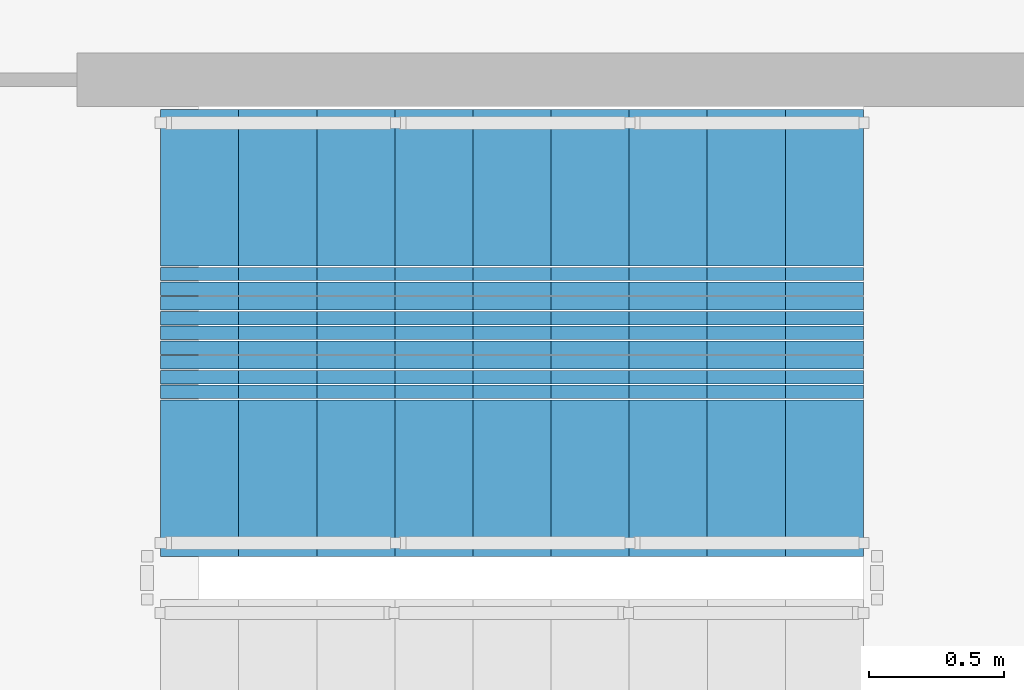
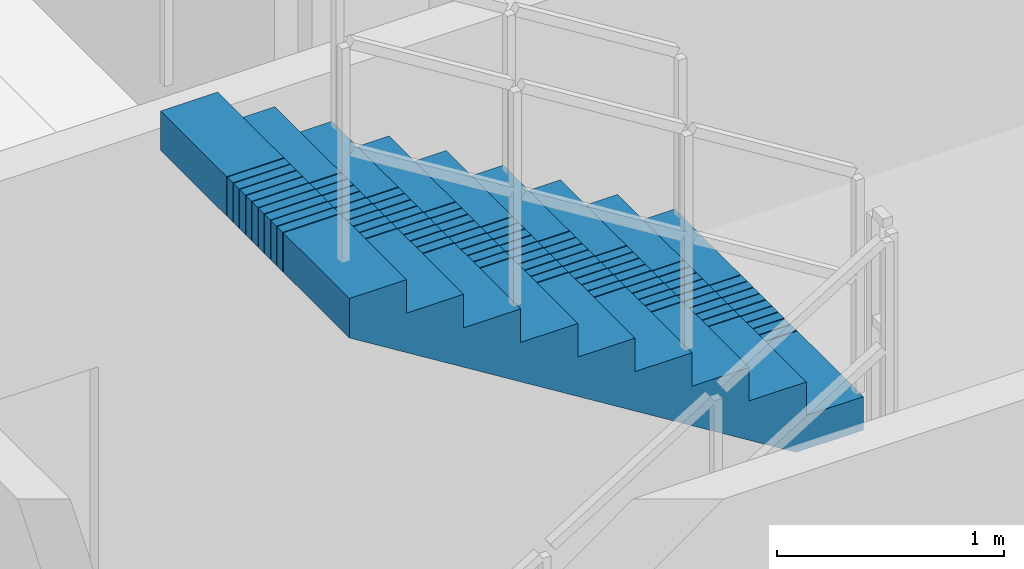
# One storey, part 24 of 30: 1 stair flight, 1 element without a shape of its own.
"""IFC4 building model written with IfcOpenShell, lengths in metres."""

from ifc_helpers import new_model, si_unit, direction, frame, origin, place, context, subcontext, project, spatial, polyline, outline, extrude, material, type_object, element, aggregate, save


model = new_model("IFC4")

# Units and contexts
model_context = context("Model", 3, precision=1e-05, world=origin(), true_north=direction((0.0, 1.0)))
body_context = subcontext(model_context, "Body", "Model", "MODEL_VIEW")
ifc_project = project(units=[si_unit("LENGTHUNIT", "METRE"), si_unit("AREAUNIT", "SQUARE_METRE"), si_unit("VOLUMEUNIT", "CUBIC_METRE"), si_unit("PLANEANGLEUNIT", "RADIAN"), si_unit("MASSUNIT", "GRAM", prefix="KILO")], contexts=[model_context])

# Site, building, storey
site_placement = place(None, origin())
site = spatial("IfcSite", under=ifc_project, at=site_placement, CompositionType="ELEMENT")
building_placement = place(site_placement, origin())
building = spatial("IfcBuilding", under=site, at=building_placement, Name="Saelheon Loggia Tower", CompositionType="ELEMENT")
storey_placement = place(building_placement, frame((0.0, 0.0, 7.800048828125)))
storey = spatial("IfcBuildingStorey", under=building, at=storey_placement, Name="L02", CompositionType="ELEMENT", Elevation=7.800048828125)

# Stair, stair flight
ifc_material = material(Name="Concrete C40/50", Category="concrete")
stair_type = type_object("IfcStairType", Name="Stair_Escape_Podium", PredefinedType="HALF_TURN_STAIR", material=ifc_material)
stair_placement = place(storey_placement, origin())
stair = element("IfcStair", 1, at=stair_placement, inside=storey, type_object=stair_type, Name="L02 Podium Escape Stair ST4", PredefinedType="HALF_TURN_STAIR")
stair_flight_type = type_object("IfcStairFlightType", Name="StairFlight_Podium_1660", PredefinedType="STRAIGHT", material=ifc_material)
stair_flight_placement = place(storey_placement, frame((68.4599609375, 3.449951171875, 1.800048828125), z_axis=(0.0, 0.0, 1.0), x_axis=(-1.0, 0.0, 0.0)))
stair_flight = element("IfcStairFlight", 2, at=stair_flight_placement, type_object=stair_flight_type, Name="ST4 flight 2", NumberOfRisers=10, NumberOfTreads=9, PredefinedType="STRAIGHT", RiserHeight=0.18, TreadLength=0.29, context=body_context, shape_type="SweptSolid", body=[
    extrude(outline(polyline([(0.0, 0.0), (0.0, 0.179931640625), (0.2900390625, 0.179931640625), (0.2900390625, 0.360107421875), (0.580078125, 0.360107421875), (0.580078125, 0.5400390625), (0.8701171875, 0.5400390625), (0.8701171875, 0.719970703125), (1.159912109375, 0.719970703125), (1.159912109375, 0.89990234375), (1.449951171875, 0.89990234375), (1.449951171875, 1.080078125), (1.739990234375, 1.080078125), (1.739990234375, 1.260009765625), (2.030029296875, 1.260009765625), (2.030029296875, 1.43994140625), (2.320068359375, 1.43994140625), (2.320068359375, 1.6201171875), (2.610107421875, 1.6201171875), (2.610107421875, 1.800048828125), (2.610107421875, 1.408203125), (0.34130859375, 0.0), (0.0, 0.0)])), frame((0.0, -0.2490234375, 0.0), z_axis=(0.0, -1.0, 0.0), x_axis=(1.0, 0.0, 0.0)), (0.0, 0.0, 1.0), 0.5810546875),
    extrude(outline(polyline([(0.0, 0.0), (0.0, 0.179931640625), (0.2900390625, 0.179931640625), (0.2900390625, 0.360107421875), (0.580078125, 0.360107421875), (0.580078125, 0.5400390625), (0.8701171875, 0.5400390625), (0.8701171875, 0.719970703125), (1.159912109375, 0.719970703125), (1.159912109375, 0.89990234375), (1.449951171875, 0.89990234375), (1.449951171875, 1.080078125), (1.739990234375, 1.080078125), (1.739990234375, 1.260009765625), (2.030029296875, 1.260009765625), (2.030029296875, 1.43994140625), (2.320068359375, 1.43994140625), (2.320068359375, 1.6201171875), (2.610107421875, 1.6201171875), (2.610107421875, 1.800048828125), (2.610107421875, 1.408203125), (0.34130859375, 0.0), (0.0, 0.0)])), frame((0.0, -0.194091796875, 0.0), z_axis=(0.0, -1.0, 0.0), x_axis=(1.0, 0.0, 0.0)), (0.0, 0.0, 1.0), 0.0498046875),
    extrude(outline(polyline([(0.0, 0.0), (0.0, 0.179931640625), (0.2900390625, 0.179931640625), (0.2900390625, 0.360107421875), (0.580078125, 0.360107421875), (0.580078125, 0.5400390625), (0.8701171875, 0.5400390625), (0.8701171875, 0.719970703125), (1.159912109375, 0.719970703125), (1.159912109375, 0.89990234375), (1.449951171875, 0.89990234375), (1.449951171875, 1.080078125), (1.739990234375, 1.080078125), (1.739990234375, 1.260009765625), (2.030029296875, 1.260009765625), (2.030029296875, 1.43994140625), (2.320068359375, 1.43994140625), (2.320068359375, 1.6201171875), (2.610107421875, 1.6201171875), (2.610107421875, 1.800048828125), (2.610107421875, 1.408203125), (0.34130859375, 0.0), (0.0, 0.0)])), frame((0.0, -0.139404296875, 0.0), z_axis=(0.0, -1.0, 0.0), x_axis=(1.0, 0.0, 0.0)), (0.0, 0.0, 1.0), 0.0498046875),
    extrude(outline(polyline([(0.0, 0.0), (0.0, 0.179931640625), (0.2900390625, 0.179931640625), (0.2900390625, 0.360107421875), (0.580078125, 0.360107421875), (0.580078125, 0.5400390625), (0.8701171875, 0.5400390625), (0.8701171875, 0.719970703125), (1.159912109375, 0.719970703125), (1.159912109375, 0.89990234375), (1.449951171875, 0.89990234375), (1.449951171875, 1.080078125), (1.739990234375, 1.080078125), (1.739990234375, 1.260009765625), (2.030029296875, 1.260009765625), (2.030029296875, 1.43994140625), (2.320068359375, 1.43994140625), (2.320068359375, 1.6201171875), (2.610107421875, 1.6201171875), (2.610107421875, 1.800048828125), (2.610107421875, 1.408203125), (0.34130859375, 0.0), (0.0, 0.0)])), frame((0.0, -0.084716796875, 0.0), z_axis=(0.0, -1.0, 0.0), x_axis=(1.0, 0.0, 0.0)), (0.0, 0.0, 1.0), 0.0498046875),
    extrude(outline(polyline([(0.0, 0.0), (0.0, 0.179931640625), (0.2900390625, 0.179931640625), (0.2900390625, 0.360107421875), (0.580078125, 0.360107421875), (0.580078125, 0.5400390625), (0.8701171875, 0.5400390625), (0.8701171875, 0.719970703125), (1.159912109375, 0.719970703125), (1.159912109375, 0.89990234375), (1.449951171875, 0.89990234375), (1.449951171875, 1.080078125), (1.739990234375, 1.080078125), (1.739990234375, 1.260009765625), (2.030029296875, 1.260009765625), (2.030029296875, 1.43994140625), (2.320068359375, 1.43994140625), (2.320068359375, 1.6201171875), (2.610107421875, 1.6201171875), (2.610107421875, 1.800048828125), (2.610107421875, 1.408203125), (0.34130859375, 0.0), (0.0, 0.0)])), frame((0.0, -0.02978515625, 0.0), z_axis=(0.0, -1.0, 0.0), x_axis=(1.0, 0.0, 0.0)), (0.0, 0.0, 1.0), 0.0498046875),
    extrude(outline(polyline([(0.0, 0.0), (0.0, 0.179931640625), (0.2900390625, 0.179931640625), (0.2900390625, 0.360107421875), (0.580078125, 0.360107421875), (0.580078125, 0.5400390625), (0.8701171875, 0.5400390625), (0.8701171875, 0.719970703125), (1.159912109375, 0.719970703125), (1.159912109375, 0.89990234375), (1.449951171875, 0.89990234375), (1.449951171875, 1.080078125), (1.739990234375, 1.080078125), (1.739990234375, 1.260009765625), (2.030029296875, 1.260009765625), (2.030029296875, 1.43994140625), (2.320068359375, 1.43994140625), (2.320068359375, 1.6201171875), (2.610107421875, 1.6201171875), (2.610107421875, 1.800048828125), (2.610107421875, 1.408203125), (0.34130859375, 0.0), (0.0, 0.0)])), frame((0.0, 0.02490234375, 0.0), z_axis=(0.0, -1.0, 0.0), x_axis=(1.0, 0.0, 0.0)), (0.0, 0.0, 1.0), 0.0498046875),
    extrude(outline(polyline([(0.0, 0.0), (0.0, 0.179931640625), (0.2900390625, 0.179931640625), (0.2900390625, 0.360107421875), (0.580078125, 0.360107421875), (0.580078125, 0.5400390625), (0.8701171875, 0.5400390625), (0.8701171875, 0.719970703125), (1.159912109375, 0.719970703125), (1.159912109375, 0.89990234375), (1.449951171875, 0.89990234375), (1.449951171875, 1.080078125), (1.739990234375, 1.080078125), (1.739990234375, 1.260009765625), (2.030029296875, 1.260009765625), (2.030029296875, 1.43994140625), (2.320068359375, 1.43994140625), (2.320068359375, 1.6201171875), (2.610107421875, 1.6201171875), (2.610107421875, 1.800048828125), (2.610107421875, 1.408203125), (0.34130859375, 0.0), (0.0, 0.0)])), frame((0.0, 0.07958984375, 0.0), z_axis=(0.0, -1.0, 0.0), x_axis=(1.0, 0.0, 0.0)), (0.0, 0.0, 1.0), 0.0498046875),
    extrude(outline(polyline([(0.0, 0.0), (0.0, 0.179931640625), (0.2900390625, 0.179931640625), (0.2900390625, 0.360107421875), (0.580078125, 0.360107421875), (0.580078125, 0.5400390625), (0.8701171875, 0.5400390625), (0.8701171875, 0.719970703125), (1.159912109375, 0.719970703125), (1.159912109375, 0.89990234375), (1.449951171875, 0.89990234375), (1.449951171875, 1.080078125), (1.739990234375, 1.080078125), (1.739990234375, 1.260009765625), (2.030029296875, 1.260009765625), (2.030029296875, 1.43994140625), (2.320068359375, 1.43994140625), (2.320068359375, 1.6201171875), (2.610107421875, 1.6201171875), (2.610107421875, 1.800048828125), (2.610107421875, 1.408203125), (0.34130859375, 0.0), (0.0, 0.0)])), frame((0.0, 0.134521484375, 0.0), z_axis=(0.0, -1.0, 0.0), x_axis=(1.0, 0.0, 0.0)), (0.0, 0.0, 1.0), 0.0498046875),
    extrude(outline(polyline([(0.0, 0.0), (0.0, 0.179931640625), (0.2900390625, 0.179931640625), (0.2900390625, 0.360107421875), (0.580078125, 0.360107421875), (0.580078125, 0.5400390625), (0.8701171875, 0.5400390625), (0.8701171875, 0.719970703125), (1.159912109375, 0.719970703125), (1.159912109375, 0.89990234375), (1.449951171875, 0.89990234375), (1.449951171875, 1.080078125), (1.739990234375, 1.080078125), (1.739990234375, 1.260009765625), (2.030029296875, 1.260009765625), (2.030029296875, 1.43994140625), (2.320068359375, 1.43994140625), (2.320068359375, 1.6201171875), (2.610107421875, 1.6201171875), (2.610107421875, 1.800048828125), (2.610107421875, 1.408203125), (0.34130859375, 0.0), (0.0, 0.0)])), frame((0.0, 0.189208984375, 0.0), z_axis=(0.0, -1.0, 0.0), x_axis=(1.0, 0.0, 0.0)), (0.0, 0.0, 1.0), 0.0498046875),
    extrude(outline(polyline([(0.0, 0.0), (0.0, 0.179931640625), (0.2900390625, 0.179931640625), (0.2900390625, 0.360107421875), (0.580078125, 0.360107421875), (0.580078125, 0.5400390625), (0.8701171875, 0.5400390625), (0.8701171875, 0.719970703125), (1.159912109375, 0.719970703125), (1.159912109375, 0.89990234375), (1.449951171875, 0.89990234375), (1.449951171875, 1.080078125), (1.739990234375, 1.080078125), (1.739990234375, 1.260009765625), (2.030029296875, 1.260009765625), (2.030029296875, 1.43994140625), (2.320068359375, 1.43994140625), (2.320068359375, 1.6201171875), (2.610107421875, 1.6201171875), (2.610107421875, 1.800048828125), (2.610107421875, 1.408203125), (0.34130859375, 0.0), (0.0, 0.0)])), frame((0.0, 0.243896484375, 0.0), z_axis=(0.0, -1.0, 0.0), x_axis=(1.0, 0.0, 0.0)), (0.0, 0.0, 1.0), 0.0498046875),
    extrude(outline(polyline([(0.0, 0.0), (0.0, 0.179931640625), (0.2900390625, 0.179931640625), (0.2900390625, 0.360107421875), (0.580078125, 0.360107421875), (0.580078125, 0.5400390625), (0.8701171875, 0.5400390625), (0.8701171875, 0.719970703125), (1.159912109375, 0.719970703125), (1.159912109375, 0.89990234375), (1.449951171875, 0.89990234375), (1.449951171875, 1.080078125), (1.739990234375, 1.080078125), (1.739990234375, 1.260009765625), (2.030029296875, 1.260009765625), (2.030029296875, 1.43994140625), (2.320068359375, 1.43994140625), (2.320068359375, 1.6201171875), (2.610107421875, 1.6201171875), (2.610107421875, 1.800048828125), (2.610107421875, 1.408203125), (0.34130859375, 0.0), (0.0, 0.0)])), frame((0.0, 0.830078125, 0.0), z_axis=(0.0, -1.0, 0.0), x_axis=(1.0, 0.0, 0.0)), (0.0, 0.0, 1.0), 0.5810546875),
])
aggregate(stair, [stair_flight])

save(model, "model.ifc")
